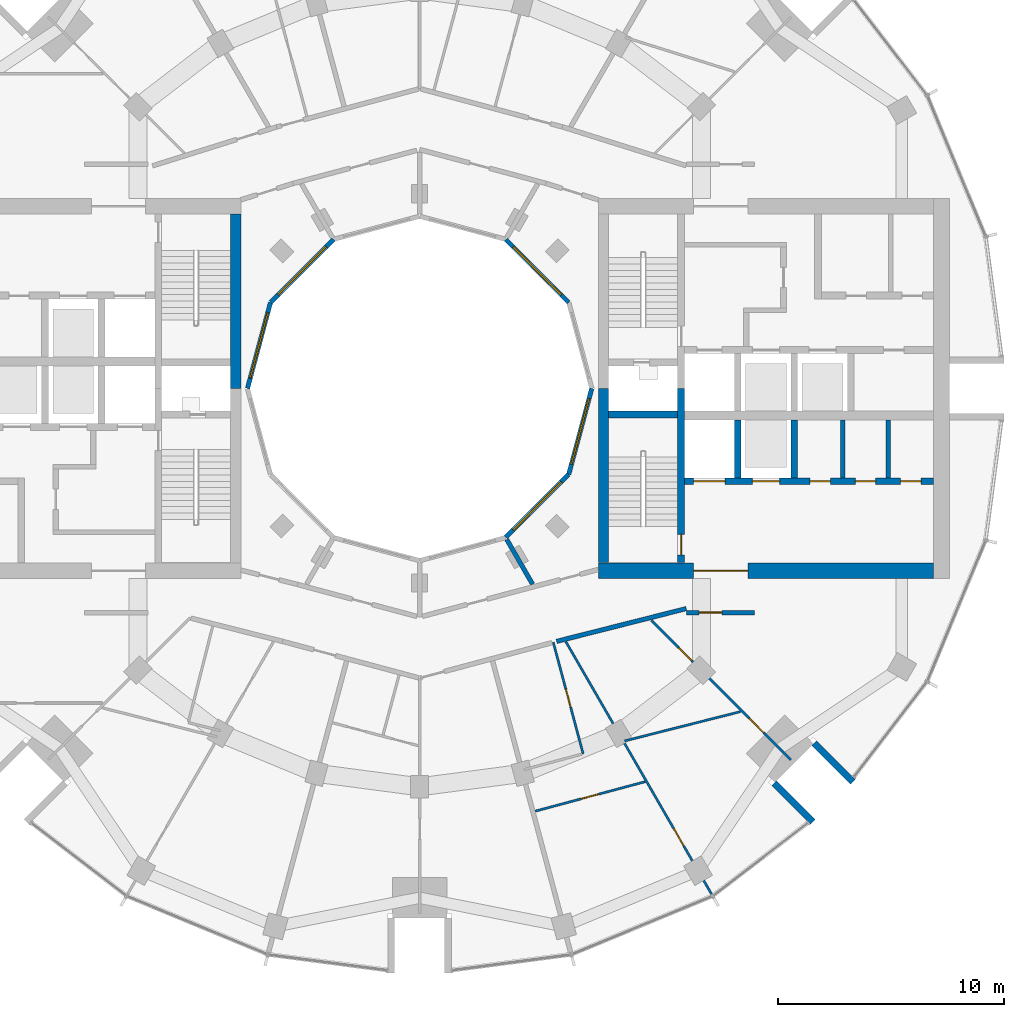
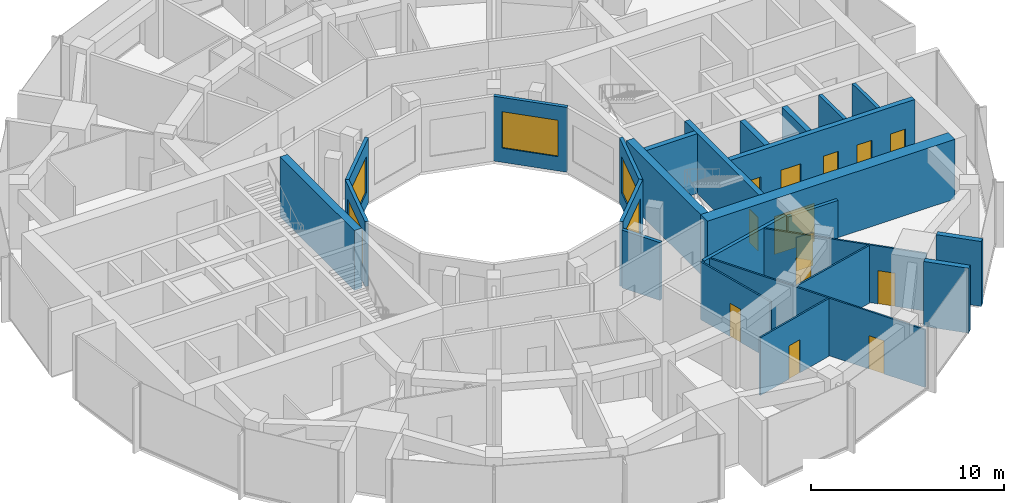
# One storey, part 10 of 15: 25 walls, 13 doors, 5 windows, 18 openings.
"""IFC4 building model written with IfcOpenShell, lengths in metres."""

from ifc_helpers import new_model, si_unit, direction, frame, frame_2d, origin, place, context, subcontext, project, spatial, rectangle, extrude, material, layer, layer_set, type_object, element, fill, save


model = new_model("IFC4")

# Units and contexts
model_context = context("Model", 3, precision=1e-05, world=origin(), true_north=direction((0.0, 1.0)))
body_context = subcontext(model_context, "Body", "Model", "MODEL_VIEW")
ifc_project = project(units=[si_unit("LENGTHUNIT", "METRE"), si_unit("AREAUNIT", "SQUARE_METRE"), si_unit("VOLUMEUNIT", "CUBIC_METRE"), si_unit("PLANEANGLEUNIT", "RADIAN"), si_unit("MASSUNIT", "GRAM", prefix="KILO")], contexts=[model_context])

# Site, building, storey
site_placement = place(None, origin())
site = spatial("IfcSite", under=ifc_project, at=site_placement, CompositionType="ELEMENT")
building_placement = place(site_placement, origin())
building = spatial("IfcBuilding", under=site, at=building_placement, Name="Torre Brocal", CompositionType="ELEMENT")
storey_placement = place(building_placement, frame((0.0, 0.0, 182.300048828125)))
storey = spatial("IfcBuildingStorey", under=building, at=storey_placement, Name="L42", CompositionType="ELEMENT", Elevation=182.300048828125)

# Walls
ifc_material_1 = material(Name="Masonry block", Category="masonry")
ifc_layer_1 = layer(ifc_material_1, 0.199951171875)
ifc_layer_set_1 = layer_set([ifc_layer_1], Name="Masonry block")
wall_type_1 = type_object("IfcWallType", Name="CORE PARTITION 200", PredefinedType="PARTITIONING", material=ifc_layer_set_1)
for number, where, z_axis, x_axis, name in (
    (1, (98.699951171875, 71.050048828125, 0.0), (0.0, 0.0, 1.0), (0.0, 1.0, 0.0), "Wall CP200"),
    (2, (100.699951171875, 71.050048828125, 0.0), (0.0, 0.0, 1.0), (0.0, 1.0, 0.0), "Wall CP200"),
):
    element("IfcWall", number, at=place(storey_placement, frame(where, z_axis=z_axis, x_axis=x_axis)), inside=storey, type_object=wall_type_1, Name=name, PredefinedType="PARTITIONING", context=body_context, shape_type="SweptSolid", body=[
        extrude(rectangle(XDim=2.550048828125, YDim=0.199951171875, at=frame_2d((1.27490234375, 0.0))), origin(), (0.0, 0.0, 1.0), 3.780029296875),
    ])

# Wall, opening, door
ifc_material_2 = material(Name="Concrete C70", Category="concrete")
ifc_layer_2 = layer(ifc_material_2, 0.300048828125)
ifc_layer_set_2 = layer_set([ifc_layer_2], Name="Concrete C70")
wall_type_2 = type_object("IfcWallType", Name="CORE WALL 300 C70", PredefinedType="SHEAR", material=ifc_layer_set_2)
wall_1_placement = place(storey_placement, frame((91.550048828125, 67.300048828125, 0.0), z_axis=(0.0, 0.0, 1.0), x_axis=(0.0, 1.0, 0.0)))
wall_1 = element("IfcWall", 3, at=wall_1_placement, inside=storey, type_object=wall_type_2, Name="Wall CW300-70", PredefinedType="SHEAR", context=body_context, shape_type="SweptSolid", body=[
    extrude(rectangle(XDim=7.699951171875, YDim=0.300048828125, at=frame_2d((3.85009765625, 0.0))), origin(), (0.0, 0.0, 1.0), 3.780029296875),
])
opening_1_placement = place(wall_1_placement, frame((0.35009765625, 0.0, 0.0)))
opening_1 = element("IfcOpeningElement", 4, at=opening_1_placement, cuts=wall_1, Name="Opening E-D03", PredefinedType="OPENING", context=body_context, shape_type="SweptSolid", body=[
    extrude(rectangle(XDim=0.89990234375, YDim=2.10009765625, at=frame_2d((0.449951171875, 1.050048828125))), frame((0.0, 0.159912109375, 0.0), z_axis=(0.0, -1.0, 0.0), x_axis=(1.0, 0.0, 0.0)), (0.0, 0.0, 1.0), 0.320068359375),
])
ifc_material_3 = material(Name="Steel A653", Category="steel")
door_type_1 = type_object("IfcDoorType", Name="STAIR DOOR FD120 900X2100", OperationType="SINGLE_SWING_RIGHT", PredefinedType="DOOR", material=ifc_material_3)
door_1_placement = place(opening_1_placement, origin())
door_1 = element("IfcDoor", 5, at=door_1_placement, inside=storey, type_object=door_type_1, Name="Door E-D03", OperationType="SINGLE_SWING_LEFT", OverallHeight=2.10009765625, OverallWidth=0.89990234375, PredefinedType="DOOR", context=body_context, shape_type="SweptSolid", body=[
    extrude(rectangle(XDim=0.89990234375, YDim=2.10009765625, at=frame_2d((0.449951171875, 1.050048828125))), frame((0.0, 0.02490234375, 0.0), z_axis=(0.0, -1.0, 0.0), x_axis=(1.0, 0.0, 0.0)), (0.0, 0.0, 1.0), 0.050048828125),
])
fill(opening_1, door_1)

# Wall
wall_2_placement = place(storey_placement, frame((88.35009765625, 73.85009765625, 0.0), z_axis=(0.0, 0.0, 1.0), x_axis=(1.0, 0.0, 0.0)))
element("IfcWall", 6, at=wall_2_placement, inside=storey, type_object=wall_type_2, Name="Wall CW300-70", PredefinedType="SHEAR", context=body_context, shape_type="SweptSolid", body=[
    extrude(rectangle(XDim=3.0498046875, YDim=0.300048828125, at=frame_2d((1.52490234375, 0.0))), origin(), (0.0, 0.0, 1.0), 3.780029296875),
])

# Wall, openings, doors
wall_3_placement = place(storey_placement, frame((91.699951171875, 70.89990234375, 0.0), z_axis=(0.0, 0.0, 1.0), x_axis=(1.0, 0.0, 0.0)))
wall_3 = element("IfcWall", 7, at=wall_3_placement, inside=storey, type_object=wall_type_2, Name="Wall CW300-70", PredefinedType="SHEAR", context=body_context, shape_type="SweptSolid", body=[
    extrude(rectangle(XDim=11.0, YDim=0.300048828125, at=frame_2d((5.5, 0.0))), origin(), (0.0, 0.0, 1.0), 3.780029296875),
])
opening_2_placement = place(wall_3_placement, frame((0.39990234375, 0.0, 0.0)))
opening_2 = element("IfcOpeningElement", 8, at=opening_2_placement, cuts=wall_3, Name="Opening LD14", PredefinedType="OPENING", context=body_context, shape_type="SweptSolid", body=[
    extrude(rectangle(XDim=1.39990234375, YDim=2.10009765625, at=frame_2d((0.699951171875, 1.050048828125))), frame((0.0, 0.159912109375, 0.0), z_axis=(0.0, -1.0, 0.0), x_axis=(1.0, 0.0, 0.0)), (0.0, 0.0, 1.0), 0.320068359375),
])
opening_3_placement = place(wall_3_placement, frame((3.0, 0.0, 0.0)))
opening_3 = element("IfcOpeningElement", 9, at=opening_3_placement, cuts=wall_3, Name="Opening LD12", PredefinedType="OPENING", context=body_context, shape_type="SweptSolid", body=[
    extrude(rectangle(XDim=1.199951171875, YDim=2.10009765625, at=frame_2d((0.60009765625, 1.050048828125))), frame((0.0, 0.159912109375, 0.0), z_axis=(0.0, -1.0, 0.0), x_axis=(1.0, 0.0, 0.0)), (0.0, 0.0, 1.0), 0.320068359375),
])
opening_4_placement = place(wall_3_placement, frame((5.550048828125, 0.0, 0.0)))
opening_4 = element("IfcOpeningElement", 10, at=opening_4_placement, cuts=wall_3, Name="Opening E-D05", PredefinedType="OPENING", context=body_context, shape_type="SweptSolid", body=[
    extrude(rectangle(XDim=0.89990234375, YDim=2.10009765625, at=frame_2d((0.449951171875, 1.050048828125))), frame((0.0, 0.159912109375, 0.0), z_axis=(0.0, -1.0, 0.0), x_axis=(1.0, 0.0, 0.0)), (0.0, 0.0, 1.0), 0.320068359375),
])
opening_5_placement = place(wall_3_placement, frame((7.550048828125, 0.0, 0.0)))
opening_5 = element("IfcOpeningElement", 11, at=opening_5_placement, cuts=wall_3, Name="Opening E-D06", PredefinedType="OPENING", context=body_context, shape_type="SweptSolid", body=[
    extrude(rectangle(XDim=0.89990234375, YDim=2.10009765625, at=frame_2d((0.449951171875, 1.050048828125))), frame((0.0, 0.159912109375, 0.0), z_axis=(0.0, -1.0, 0.0), x_axis=(1.0, 0.0, 0.0)), (0.0, 0.0, 1.0), 0.320068359375),
])
opening_6_placement = place(wall_3_placement, frame((9.550048828125, 0.0, 0.0)))
opening_6 = element("IfcOpeningElement", 12, at=opening_6_placement, cuts=wall_3, Name="Opening E-D07", PredefinedType="OPENING", context=body_context, shape_type="SweptSolid", body=[
    extrude(rectangle(XDim=0.89990234375, YDim=2.10009765625, at=frame_2d((0.449951171875, 1.050048828125))), frame((0.0, 0.159912109375, 0.0), z_axis=(0.0, -1.0, 0.0), x_axis=(1.0, 0.0, 0.0)), (0.0, 0.0, 1.0), 0.320068359375),
])
ifc_material_4 = material(Name="Stainless steel AISI 316", Category="steel")
door_type_2 = type_object("IfcDoorType", Name="LIFT LANDING DOOR 1200X2100", OperationType="DOUBLE_DOOR_SLIDING", PredefinedType="DOOR", material=ifc_material_4)
door_2_placement = place(opening_3_placement, origin())
door_2 = element("IfcDoor", 13, at=door_2_placement, inside=storey, type_object=door_type_2, Name="Door LD12", OperationType="DOUBLE_DOOR_SLIDING", OverallHeight=2.10009765625, OverallWidth=1.199951171875, PredefinedType="DOOR", context=body_context, shape_type="SweptSolid", body=[
    extrude(rectangle(XDim=1.199951171875, YDim=2.10009765625, at=frame_2d((0.60009765625, 1.050048828125))), frame((0.0, 0.02490234375, 0.0), z_axis=(0.0, -1.0, 0.0), x_axis=(1.0, 0.0, 0.0)), (0.0, 0.0, 1.0), 0.050048828125),
])
fill(opening_3, door_2)
ifc_material_5 = material(Name="Stainless steel AISI 316", Category="steel")
door_type_3 = type_object("IfcDoorType", Name="LIFT LANDING DOOR 1400X2100", OperationType="DOUBLE_DOOR_SLIDING", PredefinedType="DOOR", material=ifc_material_5)
door_3_placement = place(opening_2_placement, origin())
door_3 = element("IfcDoor", 14, at=door_3_placement, inside=storey, type_object=door_type_3, Name="Door LD14", OperationType="DOUBLE_DOOR_SLIDING", OverallHeight=2.10009765625, OverallWidth=1.39990234375, PredefinedType="DOOR", context=body_context, shape_type="SweptSolid", body=[
    extrude(rectangle(XDim=1.39990234375, YDim=2.10009765625, at=frame_2d((0.699951171875, 1.050048828125))), frame((0.0, 0.02490234375, 0.0), z_axis=(0.0, -1.0, 0.0), x_axis=(1.0, 0.0, 0.0)), (0.0, 0.0, 1.0), 0.050048828125),
])
fill(opening_2, door_3)
ifc_material_6 = material(Name="Steel A653", Category="steel")
door_type_4 = type_object("IfcDoorType", Name="ROOM DOOR FD30S 900X2100", OperationType="SINGLE_SWING_LEFT", PredefinedType="DOOR", material=ifc_material_6)
door_4_placement = place(opening_4_placement, origin())
door_4 = element("IfcDoor", 15, at=door_4_placement, inside=storey, type_object=door_type_4, Name="Door E-D05", OperationType="SINGLE_SWING_RIGHT", OverallHeight=2.10009765625, OverallWidth=0.89990234375, PredefinedType="DOOR", context=body_context, shape_type="SweptSolid", body=[
    extrude(rectangle(XDim=0.89990234375, YDim=2.10009765625, at=frame_2d((0.449951171875, 1.050048828125))), frame((0.0, 0.02490234375, 0.0), z_axis=(0.0, -1.0, 0.0), x_axis=(1.0, 0.0, 0.0)), (0.0, 0.0, 1.0), 0.050048828125),
])
fill(opening_4, door_4)
door_5_placement = place(opening_5_placement, origin())
door_5 = element("IfcDoor", 16, at=door_5_placement, inside=storey, type_object=door_type_4, Name="Door E-D06", OperationType="SINGLE_SWING_LEFT", OverallHeight=2.10009765625, OverallWidth=0.89990234375, PredefinedType="DOOR", context=body_context, shape_type="SweptSolid", body=[
    extrude(rectangle(XDim=0.89990234375, YDim=2.10009765625, at=frame_2d((0.449951171875, 1.050048828125))), frame((0.0, 0.02490234375, 0.0), z_axis=(0.0, -1.0, 0.0), x_axis=(1.0, 0.0, 0.0)), (0.0, 0.0, 1.0), 0.050048828125),
])
fill(opening_5, door_5)
door_6_placement = place(opening_6_placement, origin())
door_6 = element("IfcDoor", 17, at=door_6_placement, inside=storey, type_object=door_type_4, Name="Door E-D07", OperationType="SINGLE_SWING_LEFT", OverallHeight=2.10009765625, OverallWidth=0.89990234375, PredefinedType="DOOR", context=body_context, shape_type="SweptSolid", body=[
    extrude(rectangle(XDim=0.89990234375, YDim=2.10009765625, at=frame_2d((0.449951171875, 1.050048828125))), frame((0.0, 0.02490234375, 0.0), z_axis=(0.0, -1.0, 0.0), x_axis=(1.0, 0.0, 0.0)), (0.0, 0.0, 1.0), 0.050048828125),
])
fill(opening_6, door_6)

# Walls
for number, where, z_axis, x_axis, name in (
    (18, (94.050048828125, 71.050048828125, 0.0), (0.0, 0.0, 1.0), (0.0, 1.0, 0.0), "Wall CW300-70"),
    (19, (96.550048828125, 71.050048828125, 0.0), (0.0, 0.0, 1.0), (0.0, 1.0, 0.0), "Wall CW300-70"),
):
    element("IfcWall", number, at=place(storey_placement, frame(where, z_axis=z_axis, x_axis=x_axis)), inside=storey, type_object=wall_type_2, Name=name, PredefinedType="SHEAR", context=body_context, shape_type="SweptSolid", body=[
        extrude(rectangle(XDim=2.550048828125, YDim=0.300048828125, at=frame_2d((1.27490234375, 0.0))), origin(), (0.0, 0.0, 1.0), 3.780029296875),
    ])
ifc_material_7 = material(Name="Concrete C70", Category="concrete")
ifc_layer_3 = layer(ifc_material_7, 0.449951171875)
ifc_layer_set_3 = layer_set([ifc_layer_3], Name="Concrete C70")
wall_type_3 = type_object("IfcWallType", Name="CORE WALL 450 C70", PredefinedType="SHEAR", material=ifc_layer_set_3)
for number, where, z_axis, x_axis, name in (
    (20, (88.125, 67.300048828125, 0.0), (0.0, 0.0, 1.0), (0.0, 1.0, 0.0), "Wall CW450-70"),
    (21, (71.875, 82.699951171875, 0.0), (0.0, 0.0, 1.0), (0.0, -1.0, 0.0), "Wall CW450-70"),
):
    element("IfcWall", number, at=place(storey_placement, frame(where, z_axis=z_axis, x_axis=x_axis)), inside=storey, type_object=wall_type_3, Name=name, PredefinedType="SHEAR", context=body_context, shape_type="SweptSolid", body=[
        extrude(rectangle(XDim=7.699951171875, YDim=0.449951171875, at=frame_2d((3.85009765625, 0.0))), origin(), (0.0, 0.0, 1.0), 3.780029296875),
    ])

# Wall, opening, door
ifc_material_8 = material(Name="Concrete C70", Category="concrete")
ifc_layer_4 = layer(ifc_material_8, 0.699951171875)
ifc_layer_set_4 = layer_set([ifc_layer_4], Name="Concrete C70")
wall_type_4 = type_object("IfcWallType", Name="CORE WALL 700 C70", PredefinedType="SHEAR", material=ifc_layer_set_4)
wall_4_placement = place(storey_placement, frame((87.89990234375, 66.949951171875, 0.0), z_axis=(0.0, 0.0, 1.0), x_axis=(1.0, 0.0, 0.0)))
wall_4 = element("IfcWall", 22, at=wall_4_placement, inside=storey, type_object=wall_type_4, Name="Wall CW700-70", PredefinedType="SHEAR", context=body_context, shape_type="SweptSolid", body=[
    extrude(rectangle(XDim=14.800048828125, YDim=0.699951171875, at=frame_2d((7.39990234375, 0.0))), origin(), (0.0, 0.0, 1.0), 3.780029296875),
])
opening_7_placement = place(wall_4_placement, frame((4.199951171875, 0.0, 0.0)))
opening_7 = element("IfcOpeningElement", 23, at=opening_7_placement, cuts=wall_4, Name="Opening E-D12", PredefinedType="OPENING", context=body_context, shape_type="SweptSolid", body=[
    extrude(rectangle(XDim=2.39990234375, YDim=2.39990234375, at=frame_2d((1.199951171875, 1.199951171875))), frame((0.0, 0.35986328125, 0.0), z_axis=(0.0, -1.0, 0.0), x_axis=(1.0, 0.0, 0.0)), (0.0, 0.0, 1.0), 0.719970703125),
])
ifc_material_9 = material(Name="Steel A653", Category="steel")
door_type_5 = type_object("IfcDoorType", Name="DOUBLE FIRE DOOR FD90 2400X2400", OperationType="DOUBLE_DOOR_SINGLE_SWING", PredefinedType="DOOR", material=ifc_material_9)
door_7_placement = place(opening_7_placement, origin())
door_7 = element("IfcDoor", 24, at=door_7_placement, inside=storey, type_object=door_type_5, Name="Door E-D12", OperationType="DOUBLE_DOOR_SINGLE_SWING", OverallHeight=2.39990234375, OverallWidth=2.39990234375, PredefinedType="DOOR", context=body_context, shape_type="SweptSolid", body=[
    extrude(rectangle(XDim=2.39990234375, YDim=2.39990234375, at=frame_2d((1.199951171875, 1.199951171875))), frame((0.0, 0.02490234375, 0.0), z_axis=(0.0, -1.0, 0.0), x_axis=(1.0, 0.0, 0.0)), (0.0, 0.0, 1.0), 0.050048828125),
])
fill(opening_7, door_7)

# Walls
ifc_material_10 = material(Name="Concrete C70", Category="concrete")
ifc_layer_5 = layer(ifc_material_10, 0.300048828125)
ifc_layer_set_5 = layer_set([ifc_layer_5], Name="Concrete C70")
wall_type_5 = type_object("IfcWallType", Name="NOTCH RETURN WALL 300 C70", PredefinedType="NOTDEFINED", material=ifc_layer_set_5)
for number, where, z_axis, x_axis, name in (
    (25, (95.662353515625, 57.56982421875, 0.0), (0.0, 0.0, 1.0), (0.707106781187, -0.707106781187, 0.0), "NOTCH RETURN WALL"),
    (26, (97.43017578125, 59.337646484375, 0.0), (0.0, 0.0, 1.0), (0.707106781187, -0.707106781187, 0.0), "NOTCH RETURN WALL"),
):
    element("IfcWall", number, at=place(storey_placement, frame(where, z_axis=z_axis, x_axis=x_axis)), inside=storey, type_object=wall_type_5, Name=name, PredefinedType="NOTDEFINED", context=body_context, shape_type="SweptSolid", body=[
        extrude(rectangle(XDim=2.415771484375, YDim=0.300048828125, at=frame_2d((1.2080078125, 0.0))), origin(), (0.0, 0.0, 1.0), 4.099853515625),
    ])

# Wall, opening, door
ifc_material_11 = material(Name="Gypsum board", Category="Gypsum")
ifc_layer_6 = layer(ifc_material_11, 0.10009765625)
ifc_layer_set_6 = layer_set([ifc_layer_6], Name="Gypsum board")
wall_type_6 = type_object("IfcWallType", Name="PARTITION 100", PredefinedType="PARTITIONING", material=ifc_layer_set_6)
wall_5_placement = place(storey_placement, frame((85.107666015625, 56.325927734375, 0.0), z_axis=(0.0, 0.0, 1.0), x_axis=(0.965919870225, 0.258841272413, 0.0)))
wall_5 = element("IfcWall", 27, at=wall_5_placement, inside=storey, type_object=wall_type_6, Name="BATHROOM WALL", PredefinedType="PARTITIONING", context=body_context, shape_type="SweptSolid", body=[
    extrude(rectangle(XDim=5.02734375, YDim=0.10009765625, at=frame_2d((2.513671875, 0.0))), origin(), (0.0, 0.0, 1.0), 3.64990234375),
])
opening_8_placement = place(wall_5_placement, frame((2.093994140625, 0.0, 0.0)))
opening_8 = element("IfcOpeningElement", 28, at=opening_8_placement, cuts=wall_5, Name="Opening R03-D26", PredefinedType="OPENING", context=body_context, shape_type="SweptSolid", body=[
    extrude(rectangle(XDim=0.800048828125, YDim=2.10009765625, at=frame_2d((0.39990234375, 1.050048828125))), frame((0.0, 0.06005859375, 0.0), z_axis=(0.0, -1.0, 0.0), x_axis=(1.0, 0.0, 0.0)), (0.0, 0.0, 1.0), 0.1201171875),
])
ifc_material_12 = material(Name="Timber", Category="wood")
door_type_6 = type_object("IfcDoorType", Name="BATHROOM DOOR 800X2100", OperationType="SINGLE_SWING_LEFT", PredefinedType="DOOR", material=ifc_material_12)
door_8_placement = place(opening_8_placement, frame((0.800048828125, 0.0, 0.0), z_axis=(0.0, 0.0, 1.0), x_axis=(-1.0, 0.0, 0.0)))
door_8 = element("IfcDoor", 29, at=door_8_placement, inside=storey, type_object=door_type_6, Name="R03-D26", OperationType="SINGLE_SWING_RIGHT", OverallHeight=2.10009765625, OverallWidth=0.800048828125, PredefinedType="DOOR", context=body_context, shape_type="SweptSolid", body=[
    extrude(rectangle(XDim=0.800048828125, YDim=2.10009765625, at=frame_2d((0.39990234375, 1.050048828125))), frame((0.0, 0.02490234375, 0.0), z_axis=(0.0, -1.0, 0.0), x_axis=(1.0, 0.0, 0.0)), (0.0, 0.0, 1.0), 0.050048828125),
])
fill(opening_8, door_8)

wall_6_placement = place(storey_placement, frame((85.904052734375, 63.785888671875, 0.0), z_axis=(0.0, 0.0, 1.0), x_axis=(0.258857329124, -0.965915567303, 0.0)))
wall_6 = element("IfcWall", 30, at=wall_6_placement, inside=storey, type_object=wall_type_6, Name="BATHROOM WALL", PredefinedType="PARTITIONING", context=body_context, shape_type="SweptSolid", body=[
    extrude(rectangle(XDim=5.099609375, YDim=0.10009765625, at=frame_2d((2.5498046875, 0.0))), origin(), (0.0, 0.0, 1.0), 3.64990234375),
])
opening_9_placement = place(wall_6_placement, frame((2.14990234375, 0.0, 0.0)))
opening_9 = element("IfcOpeningElement", 31, at=opening_9_placement, cuts=wall_6, Name="Opening R03-D25", PredefinedType="OPENING", context=body_context, shape_type="SweptSolid", body=[
    extrude(rectangle(XDim=0.800048828125, YDim=2.10009765625, at=frame_2d((0.39990234375, 1.050048828125))), frame((0.0, 0.06005859375, 0.0), z_axis=(0.0, -1.0, 0.0), x_axis=(1.0, 0.0, 0.0)), (0.0, 0.0, 1.0), 0.1201171875),
])
door_9_placement = place(opening_9_placement, frame((0.800048828125, 0.0, 0.0), z_axis=(0.0, 0.0, 1.0), x_axis=(-1.0, 0.0, 0.0)))
door_9 = element("IfcDoor", 32, at=door_9_placement, inside=storey, type_object=door_type_6, Name="R03-D25", OperationType="SINGLE_SWING_RIGHT", OverallHeight=2.10009765625, OverallWidth=0.800048828125, PredefinedType="DOOR", context=body_context, shape_type="SweptSolid", body=[
    extrude(rectangle(XDim=0.800048828125, YDim=2.10009765625, at=frame_2d((0.39990234375, 1.050048828125))), frame((0.0, 0.02490234375, 0.0), z_axis=(0.0, -1.0, 0.0), x_axis=(1.0, 0.0, 0.0)), (0.0, 0.0, 1.0), 0.050048828125),
])
fill(opening_9, door_9)

wall_7_placement = place(storey_placement, frame((86.46142578125, 63.810302734375, 0.0), z_axis=(0.0, 0.0, 1.0), x_axis=(0.499911751641, -0.866076348004, 0.0)))
wall_7 = element("IfcWall", 33, at=wall_7_placement, inside=storey, type_object=wall_type_6, Name="BATHROOM WALL", PredefinedType="PARTITIONING", context=body_context, shape_type="SweptSolid", body=[
    extrude(rectangle(XDim=12.876220703125, YDim=0.10009765625, at=frame_2d((6.43798828125, 0.0))), origin(), (0.0, 0.0, 1.0), 3.64990234375),
])
opening_10_placement = place(wall_7_placement, frame((9.513671875, 0.0, 0.0)))
opening_10 = element("IfcOpeningElement", 34, at=opening_10_placement, cuts=wall_7, Name="Opening R03-D24", PredefinedType="OPENING", context=body_context, shape_type="SweptSolid", body=[
    extrude(rectangle(XDim=0.89990234375, YDim=2.10009765625, at=frame_2d((0.449951171875, 1.050048828125))), frame((0.0, 0.06005859375, 0.0), z_axis=(0.0, -1.0, 0.0), x_axis=(1.0, 0.0, 0.0)), (0.0, 0.0, 1.0), 0.1201171875),
])
ifc_material_13 = material(Name="Timber", Category="wood")
door_type_7 = type_object("IfcDoorType", Name="ROOM DOOR 900X2100", OperationType="SINGLE_SWING_LEFT", PredefinedType="DOOR", material=ifc_material_13)
door_10_placement = place(opening_10_placement, origin())
door_10 = element("IfcDoor", 35, at=door_10_placement, inside=storey, type_object=door_type_7, Name="R03-D24", OperationType="SINGLE_SWING_RIGHT", OverallHeight=2.10009765625, OverallWidth=0.89990234375, PredefinedType="DOOR", context=body_context, shape_type="SweptSolid", body=[
    extrude(rectangle(XDim=0.89990234375, YDim=2.10009765625, at=frame_2d((0.449951171875, 1.050048828125))), frame((0.0, 0.02490234375, 0.0), z_axis=(0.0, -1.0, 0.0), x_axis=(1.0, 0.0, 0.0)), (0.0, 0.0, 1.0), 0.050048828125),
])
fill(opening_10, door_10)

# Wall
wall_8_placement = place(storey_placement, frame((89.0576171875, 59.4287109375, 0.0), z_axis=(0.0, 0.0, 1.0), x_axis=(0.96946321375, 0.2452367778, 0.0)))
element("IfcWall", 36, at=wall_8_placement, inside=storey, type_object=wall_type_6, Name="BATHROOM WALL", PredefinedType="PARTITIONING", context=body_context, shape_type="SweptSolid", body=[
    extrude(rectangle(XDim=5.272216796875, YDim=0.10009765625, at=frame_2d((2.63623046875, 0.0))), origin(), (0.0, 0.0, 1.0), 3.64990234375),
])

# Wall, openings, doors
wall_9_placement = place(storey_placement, frame((90.23583984375, 64.7578125, 0.0), z_axis=(0.0, 0.0, 1.0), x_axis=(0.706924769926, -0.707288745609, 0.0)))
wall_9 = element("IfcWall", 37, at=wall_9_placement, inside=storey, type_object=wall_type_6, Name="BATHROOM WALL", PredefinedType="PARTITIONING", context=body_context, shape_type="SweptSolid", body=[
    extrude(rectangle(XDim=8.719970703125, YDim=0.10009765625, at=frame_2d((4.35986328125, 0.0))), origin(), (0.0, 0.0, 1.0), 3.64990234375),
])
opening_11_placement = place(wall_9_placement, frame((6.114013671875, 0.0, 0.0)))
opening_11 = element("IfcOpeningElement", 38, at=opening_11_placement, cuts=wall_9, Name="Opening R03-D22", PredefinedType="OPENING", context=body_context, shape_type="SweptSolid", body=[
    extrude(rectangle(XDim=0.89990234375, YDim=2.10009765625, at=frame_2d((0.449951171875, 1.050048828125))), frame((0.0, 0.06005859375, 0.0), z_axis=(0.0, -1.0, 0.0), x_axis=(1.0, 0.0, 0.0)), (0.0, 0.0, 1.0), 0.1201171875),
])
opening_12_placement = place(wall_9_placement, frame((1.722412109375, 0.0, 0.0)))
opening_12 = element("IfcOpeningElement", 39, at=opening_12_placement, cuts=wall_9, Name="Opening R03-D23", PredefinedType="OPENING", context=body_context, shape_type="SweptSolid", body=[
    extrude(rectangle(XDim=0.800048828125, YDim=2.10009765625, at=frame_2d((0.39990234375, 1.050048828125))), frame((0.0, 0.06005859375, 0.0), z_axis=(0.0, -1.0, 0.0), x_axis=(1.0, 0.0, 0.0)), (0.0, 0.0, 1.0), 0.1201171875),
])
door_11_placement = place(opening_12_placement, frame((0.800048828125, 0.0, 0.0), z_axis=(0.0, 0.0, 1.0), x_axis=(-1.0, 0.0, 0.0)))
door_11 = element("IfcDoor", 40, at=door_11_placement, inside=storey, type_object=door_type_6, Name="R03-D23", OperationType="SINGLE_SWING_RIGHT", OverallHeight=2.10009765625, OverallWidth=0.800048828125, PredefinedType="DOOR", context=body_context, shape_type="SweptSolid", body=[
    extrude(rectangle(XDim=0.800048828125, YDim=2.10009765625, at=frame_2d((0.39990234375, 1.050048828125))), frame((0.0, 0.02490234375, 0.0), z_axis=(0.0, -1.0, 0.0), x_axis=(1.0, 0.0, 0.0)), (0.0, 0.0, 1.0), 0.050048828125),
])
fill(opening_12, door_11)
door_12_placement = place(opening_11_placement, origin())
door_12 = element("IfcDoor", 41, at=door_12_placement, inside=storey, type_object=door_type_7, Name="R03-D22", OperationType="SINGLE_SWING_RIGHT", OverallHeight=2.10009765625, OverallWidth=0.89990234375, PredefinedType="DOOR", context=body_context, shape_type="SweptSolid", body=[
    extrude(rectangle(XDim=0.89990234375, YDim=2.10009765625, at=frame_2d((0.449951171875, 1.050048828125))), frame((0.0, 0.02490234375, 0.0), z_axis=(0.0, -1.0, 0.0), x_axis=(1.0, 0.0, 0.0)), (0.0, 0.0, 1.0), 0.050048828125),
])
fill(opening_11, door_12)

# Walls
ifc_material_14 = material(Name="Gypsum board", Category="Gypsum")
ifc_layer_7 = layer(ifc_material_14, 0.199951171875)
ifc_layer_set_7 = layer_set([ifc_layer_7], Name="Gypsum board")
wall_type_7 = type_object("IfcWallType", Name="PARTITION 200 EI60", PredefinedType="PARTITIONING", material=ifc_layer_set_7)
wall_10_placement = place(storey_placement, frame((83.847412109375, 68.33203125, 0.0), z_axis=(0.0, 0.0, 1.0), x_axis=(0.499953638813, -0.866052168773, 0.0)))
element("IfcWall", 42, at=wall_10_placement, inside=storey, type_object=wall_type_7, Name="SERVICE ROOM WALL", PredefinedType="PARTITIONING", context=body_context, shape_type="SweptSolid", body=[
    extrude(rectangle(XDim=2.285400390625, YDim=0.199951171875, at=frame_2d((1.142578125, 0.0))), origin(), (0.0, 0.0, 1.0), 3.64990234375),
])
wall_11_placement = place(storey_placement, frame((86.052978515625, 63.826171875, 0.0), z_axis=(0.0, 0.0, 1.0), x_axis=(0.969490004987, 0.245130843083, 0.0)))
element("IfcWall", 43, at=wall_11_placement, inside=storey, type_object=wall_type_7, Name="FLAT ENTRANCE WALL", PredefinedType="PARTITIONING", context=body_context, shape_type="SweptSolid", body=[
    extrude(rectangle(XDim=5.907958984375, YDim=0.199951171875, at=frame_2d((2.9541015625, 0.0))), origin(), (0.0, 0.0, 1.0), 3.64990234375),
])

# Wall, opening, door
wall_12_placement = place(storey_placement, frame((91.800048828125, 65.10009765625, 0.0), z_axis=(0.0, 0.0, 1.0), x_axis=(1.0, 0.0, 0.0)))
wall_12 = element("IfcWall", 44, at=wall_12_placement, inside=storey, type_object=wall_type_7, Name="FLAT ENTRANCE WALL", PredefinedType="PARTITIONING", context=body_context, shape_type="SweptSolid", body=[
    extrude(rectangle(XDim=3.0, YDim=0.199951171875, at=frame_2d((1.5, 0.0))), origin(), (0.0, 0.0, 1.0), 3.64990234375),
])
opening_13_placement = place(wall_12_placement, frame((0.550048828125, 0.0, 0.0)))
opening_13 = element("IfcOpeningElement", 45, at=opening_13_placement, cuts=wall_12, Name="Opening R03-D21", PredefinedType="OPENING", context=body_context, shape_type="SweptSolid", body=[
    extrude(rectangle(XDim=1.0, YDim=2.10009765625, at=frame_2d((0.5, 1.050048828125))), frame((0.0, 0.10986328125, 0.0), z_axis=(0.0, -1.0, 0.0), x_axis=(1.0, 0.0, 0.0)), (0.0, 0.0, 1.0), 0.219970703125),
])
ifc_material_15 = material(Name="Timber", Category="wood")
door_type_8 = type_object("IfcDoorType", Name="FLAT ENTRY DOOR FD30S 1000X2100", OperationType="SINGLE_SWING_RIGHT", PredefinedType="DOOR", material=ifc_material_15)
door_13_placement = place(opening_13_placement, frame((1.0, 0.0, 0.0), z_axis=(0.0, 0.0, 1.0), x_axis=(-1.0, 0.0, 0.0)))
door_13 = element("IfcDoor", 46, at=door_13_placement, inside=storey, type_object=door_type_8, Name="R03-D21", OperationType="SINGLE_SWING_RIGHT", OverallHeight=2.10009765625, OverallWidth=1.0, PredefinedType="DOOR", context=body_context, shape_type="SweptSolid", body=[
    extrude(rectangle(XDim=1.0, YDim=2.10009765625, at=frame_2d((0.5, 1.050048828125))), frame((0.0, 0.02490234375, 0.0), z_axis=(0.0, -1.0, 0.0), x_axis=(1.0, 0.0, 0.0)), (0.0, 0.0, 1.0), 0.050048828125),
])
fill(opening_13, door_13)

# Wall, opening, window
ifc_material_16 = material(Name="Concrete C40", Category="concrete")
ifc_layer_8 = layer(ifc_material_16, 0.199951171875)
ifc_layer_set_8 = layer_set([ifc_layer_8], Name="Concrete C40")
wall_type_8 = type_object("IfcWallType", Name="WELL FACADE WALL 200", PredefinedType="NOTDEFINED", material=ifc_layer_set_8)
wall_13_placement = place(storey_placement, frame((86.5849609375, 78.8017578125, 0.0), z_axis=(0.0, 0.0, 1.0), x_axis=(-0.707106781187, 0.707106781187, 0.0)))
wall_13 = element("IfcWall", 47, at=wall_13_placement, inside=storey, type_object=wall_type_8, Name="WELL FACADE WALL", PredefinedType="NOTDEFINED", context=body_context, shape_type="SweptSolid", body=[
    extrude(rectangle(XDim=3.93603515625, YDim=0.199951171875, at=frame_2d((1.968017578125, 0.0))), origin(), (0.0, 0.0, 1.0), 4.099853515625),
])
opening_14_placement = place(wall_13_placement, frame((0.468017578125, 0.0, 0.89990234375)))
opening_14 = element("IfcOpeningElement", 48, at=opening_14_placement, cuts=wall_13, Name="Opening W1", PredefinedType="OPENING", context=body_context, shape_type="SweptSolid", body=[
    extrude(rectangle(XDim=3.0, YDim=2.300048828125, at=frame_2d((1.5, 1.14990234375))), frame((0.0, 0.10986328125, 0.0), z_axis=(0.0, -1.0, 0.0), x_axis=(1.0, 0.0, 0.0)), (0.0, 0.0, 1.0), 0.219970703125),
])
ifc_material_17 = material(Name="Aluminium and glass", Category="aluminium")
window_type = type_object("IfcWindowType", Name="WELL WINDOW 3000X2300", PartitioningType="SINGLE_PANEL", PredefinedType="WINDOW", material=ifc_material_17)
window_1_placement = place(opening_14_placement, origin())
window_1 = element("IfcWindow", 49, at=window_1_placement, inside=storey, type_object=window_type, Name="WELL WINDOW 3000X2300", OverallHeight=2.300048828125, OverallWidth=3.0, PartitioningType="SINGLE_PANEL", PredefinedType="WINDOW", context=body_context, shape_type="SweptSolid", body=[
    extrude(rectangle(XDim=3.0, YDim=2.300048828125, at=frame_2d((1.5, 1.14990234375))), frame((0.0, 0.030029296875, 0.0), z_axis=(0.0, -1.0, 0.0), x_axis=(1.0, 0.0, 0.0)), (0.0, 0.0, 1.0), 0.06005859375),
])
fill(opening_14, window_1)

wall_14_placement = place(storey_placement, frame((76.1982421875, 81.5849609375, 0.0), z_axis=(0.0, 0.0, 1.0), x_axis=(-0.707106781187, -0.707106781187, 0.0)))
wall_14 = element("IfcWall", 50, at=wall_14_placement, inside=storey, type_object=wall_type_8, Name="WELL FACADE WALL", PredefinedType="NOTDEFINED", context=body_context, shape_type="SweptSolid", body=[
    extrude(rectangle(XDim=3.93603515625, YDim=0.199951171875, at=frame_2d((1.968017578125, 0.0))), origin(), (0.0, 0.0, 1.0), 4.099853515625),
])
opening_15_placement = place(wall_14_placement, frame((0.468017578125, 0.0, 0.89990234375)))
opening_15 = element("IfcOpeningElement", 51, at=opening_15_placement, cuts=wall_14, Name="Opening W1", PredefinedType="OPENING", context=body_context, shape_type="SweptSolid", body=[
    extrude(rectangle(XDim=3.0, YDim=2.300048828125, at=frame_2d((1.5, 1.14990234375))), frame((0.0, 0.10986328125, 0.0), z_axis=(0.0, -1.0, 0.0), x_axis=(1.0, 0.0, 0.0)), (0.0, 0.0, 1.0), 0.219970703125),
])
window_2_placement = place(opening_15_placement, origin())
window_2 = element("IfcWindow", 52, at=window_2_placement, inside=storey, type_object=window_type, Name="WELL WINDOW 3000X2300", OverallHeight=2.300048828125, OverallWidth=3.0, PartitioningType="SINGLE_PANEL", PredefinedType="WINDOW", context=body_context, shape_type="SweptSolid", body=[
    extrude(rectangle(XDim=3.0, YDim=2.300048828125, at=frame_2d((1.5, 1.14990234375))), frame((0.0, 0.030029296875, 0.0), z_axis=(0.0, -1.0, 0.0), x_axis=(1.0, 0.0, 0.0)), (0.0, 0.0, 1.0), 0.06005859375),
])
fill(opening_15, window_2)

wall_15_placement = place(storey_placement, frame((73.4150390625, 78.8017578125, 0.0), z_axis=(0.0, 0.0, 1.0), x_axis=(-0.258789828301, -0.965933654434, 0.0)))
wall_15 = element("IfcWall", 53, at=wall_15_placement, inside=storey, type_object=wall_type_8, Name="WELL FACADE WALL", PredefinedType="NOTDEFINED", context=body_context, shape_type="SweptSolid", body=[
    extrude(rectangle(XDim=3.935791015625, YDim=0.199951171875, at=frame_2d((1.9677734375, 0.0))), origin(), (0.0, 0.0, 1.0), 4.099853515625),
])
opening_16_placement = place(wall_15_placement, frame((0.468017578125, 0.0, 0.89990234375)))
opening_16 = element("IfcOpeningElement", 54, at=opening_16_placement, cuts=wall_15, Name="Opening W1", PredefinedType="OPENING", context=body_context, shape_type="SweptSolid", body=[
    extrude(rectangle(XDim=3.0, YDim=2.300048828125, at=frame_2d((1.5, 1.14990234375))), frame((0.0, 0.10986328125, 0.0), z_axis=(0.0, -1.0, 0.0), x_axis=(1.0, 0.0, 0.0)), (0.0, 0.0, 1.0), 0.219970703125),
])
window_3_placement = place(opening_16_placement, origin())
window_3 = element("IfcWindow", 55, at=window_3_placement, inside=storey, type_object=window_type, Name="WELL WINDOW 3000X2300", OverallHeight=2.300048828125, OverallWidth=3.0, PartitioningType="SINGLE_PANEL", PredefinedType="WINDOW", context=body_context, shape_type="SweptSolid", body=[
    extrude(rectangle(XDim=3.0, YDim=2.300048828125, at=frame_2d((1.5, 1.14990234375))), frame((0.0, 0.030029296875, 0.0), z_axis=(0.0, -1.0, 0.0), x_axis=(1.0, 0.0, 0.0)), (0.0, 0.0, 1.0), 0.06005859375),
])
fill(opening_16, window_3)

wall_16_placement = place(storey_placement, frame((83.8017578125, 68.4150390625, 0.0), z_axis=(0.0, 0.0, 1.0), x_axis=(0.707106781187, 0.707106781187, 0.0)))
wall_16 = element("IfcWall", 56, at=wall_16_placement, inside=storey, type_object=wall_type_8, Name="WELL FACADE WALL", PredefinedType="NOTDEFINED", context=body_context, shape_type="SweptSolid", body=[
    extrude(rectangle(XDim=3.93603515625, YDim=0.199951171875, at=frame_2d((1.968017578125, 0.0))), origin(), (0.0, 0.0, 1.0), 4.099853515625),
])
opening_17_placement = place(wall_16_placement, frame((0.468017578125, 0.0, 0.89990234375)))
opening_17 = element("IfcOpeningElement", 57, at=opening_17_placement, cuts=wall_16, Name="Opening W1", PredefinedType="OPENING", context=body_context, shape_type="SweptSolid", body=[
    extrude(rectangle(XDim=3.0, YDim=2.300048828125, at=frame_2d((1.5, 1.14990234375))), frame((0.0, 0.10986328125, 0.0), z_axis=(0.0, -1.0, 0.0), x_axis=(1.0, 0.0, 0.0)), (0.0, 0.0, 1.0), 0.219970703125),
])
window_4_placement = place(opening_17_placement, origin())
window_4 = element("IfcWindow", 58, at=window_4_placement, inside=storey, type_object=window_type, Name="WELL WINDOW 3000X2300", OverallHeight=2.300048828125, OverallWidth=3.0, PartitioningType="SINGLE_PANEL", PredefinedType="WINDOW", context=body_context, shape_type="SweptSolid", body=[
    extrude(rectangle(XDim=3.0, YDim=2.300048828125, at=frame_2d((1.5, 1.14990234375))), frame((0.0, 0.030029296875, 0.0), z_axis=(0.0, -1.0, 0.0), x_axis=(1.0, 0.0, 0.0)), (0.0, 0.0, 1.0), 0.06005859375),
])
fill(opening_17, window_4)

wall_17_placement = place(storey_placement, frame((86.5849609375, 71.1982421875, 0.0), z_axis=(0.0, 0.0, 1.0), x_axis=(0.258789828301, 0.965933654434, 0.0)))
wall_17 = element("IfcWall", 59, at=wall_17_placement, inside=storey, type_object=wall_type_8, Name="WELL FACADE WALL", PredefinedType="NOTDEFINED", context=body_context, shape_type="SweptSolid", body=[
    extrude(rectangle(XDim=3.935791015625, YDim=0.199951171875, at=frame_2d((1.9677734375, 0.0))), origin(), (0.0, 0.0, 1.0), 4.099853515625),
])
opening_18_placement = place(wall_17_placement, frame((0.468017578125, 0.0, 0.89990234375)))
opening_18 = element("IfcOpeningElement", 60, at=opening_18_placement, cuts=wall_17, Name="Opening W1", PredefinedType="OPENING", context=body_context, shape_type="SweptSolid", body=[
    extrude(rectangle(XDim=3.0, YDim=2.300048828125, at=frame_2d((1.5, 1.14990234375))), frame((0.0, 0.10986328125, 0.0), z_axis=(0.0, -1.0, 0.0), x_axis=(1.0, 0.0, 0.0)), (0.0, 0.0, 1.0), 0.219970703125),
])
window_5_placement = place(opening_18_placement, origin())
window_5 = element("IfcWindow", 61, at=window_5_placement, inside=storey, type_object=window_type, Name="WELL WINDOW 3000X2300", OverallHeight=2.300048828125, OverallWidth=3.0, PartitioningType="SINGLE_PANEL", PredefinedType="WINDOW", context=body_context, shape_type="SweptSolid", body=[
    extrude(rectangle(XDim=3.0, YDim=2.300048828125, at=frame_2d((1.5, 1.14990234375))), frame((0.0, 0.030029296875, 0.0), z_axis=(0.0, -1.0, 0.0), x_axis=(1.0, 0.0, 0.0)), (0.0, 0.0, 1.0), 0.06005859375),
])
fill(opening_18, window_5)

save(model, "model.ifc")
